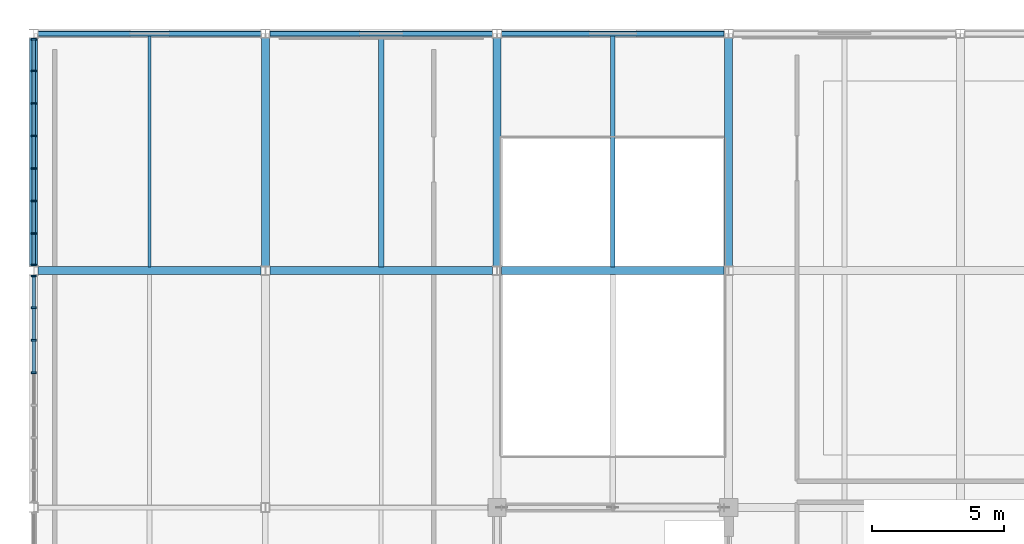
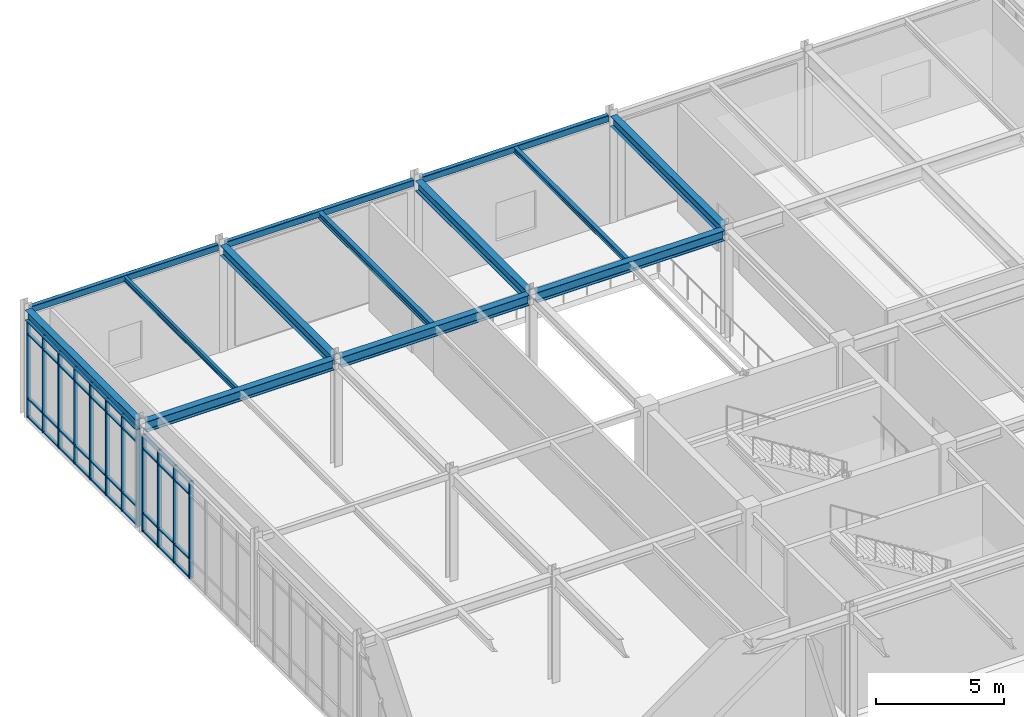
# One storey, part 68 of 184: 52 members, 13 beams, 2 elements without a shape of their own.
"""IFC4 building model written with IfcOpenShell, lengths in metres."""

from ifc_helpers import new_model, si_unit, direction, frame, origin, origin_2d, place, context, subcontext, project, spatial, rectangle, hollow_rectangle, i_section, extrude, material, material_profile, profile_set, type_object, element, aggregate, save


model = new_model("IFC4")

# Units and contexts
model_context = context("Model", 3, precision=1e-05, world=origin(), true_north=direction((0.0, 1.0)))
body_context = subcontext(model_context, "Body", "Model", "MODEL_VIEW")
ifc_project = project(units=[si_unit("LENGTHUNIT", "METRE"), si_unit("AREAUNIT", "SQUARE_METRE"), si_unit("VOLUMEUNIT", "CUBIC_METRE"), si_unit("PLANEANGLEUNIT", "RADIAN"), si_unit("MASSUNIT", "GRAM", prefix="KILO")], contexts=[model_context])

# Site, building, storey
site_placement = place(None, origin())
site = spatial("IfcSite", under=ifc_project, at=site_placement, CompositionType="ELEMENT")
building_placement = place(site_placement, origin())
building = spatial("IfcBuilding", under=site, at=building_placement, Name="Zhaolan Boulevard Law Courts", CompositionType="ELEMENT")
storey_placement = place(building_placement, frame((0.0, 0.0, 5.39990234375)))
storey = spatial("IfcBuildingStorey", under=building, at=storey_placement, Name="L01", CompositionType="ELEMENT", Elevation=5.39990234375)

# Curtain wall, members
ifc_material_1 = material(Name="Thermally broken aluminium and low-E glazing", Category="aluminium")
curtain_wall_type_1 = type_object("IfcCurtainWallType", Name="CURTAIN WALL M13", PredefinedType="USERDEFINED", material=ifc_material_1)
curtain_wall_1_placement = place(storey_placement, origin())
curtain_wall_1 = element("IfcCurtainWall", 1, at=curtain_wall_1_placement, inside=storey, type_object=curtain_wall_type_1, Name="Curtain Wall CW-L01-109", ObjectType="CURTAIN WALL", PredefinedType="USERDEFINED")
ifc_material_2 = material(Name="Fluorocarbon-coated aluminium 6063-T6", Category="aluminium")
ifc_material_profile_1 = material_profile(ifc_material_2, rectangle(XDim=0.179931640625, YDim=0.06494140625, at=origin_2d()), Name="AL65x180")
ifc_profile_set_1 = profile_set([ifc_material_profile_1], Name="Fluorocarbon-coated aluminium 6063-T6")
member_type_1 = type_object("IfcMemberType", Name="CWMULLION 65X180", PredefinedType="MULLION", material=ifc_profile_set_1)
member_1_placement = place(storey_placement, frame((0.0, 102.79052734375, 0.0), z_axis=(0.0, 0.0, 1.0), x_axis=(1.0, 0.0, 0.0)))
member_1 = element("IfcMember", 2, at=member_1_placement, type_object=member_type_1, Name="CW-L01-109 mullion 1", PredefinedType="MULLION", context=body_context, shape_type="SweptSolid", body=[
    extrude(rectangle(XDim=0.179931640625, YDim=0.06494140625, at=origin_2d()), origin(), (0.0, 0.0, 1.0), 4.62109375),
])
member_2_placement = place(storey_placement, frame((0.0, 101.587890625, 0.0), z_axis=(0.0, 0.0, 1.0), x_axis=(1.0, 0.0, 0.0)))
member_2 = element("IfcMember", 3, at=member_2_placement, type_object=member_type_1, Name="CW-L01-109 mullion 2", PredefinedType="MULLION", context=body_context, shape_type="SweptSolid", body=[
    extrude(rectangle(XDim=0.179931640625, YDim=0.06494140625, at=origin_2d()), origin(), (0.0, 0.0, 1.0), 4.62109375),
])
member_3_placement = place(storey_placement, frame((0.0, 100.352783203125, 0.0), z_axis=(0.0, 0.0, 1.0), x_axis=(1.0, 0.0, 0.0)))
member_3 = element("IfcMember", 4, at=member_3_placement, type_object=member_type_1, Name="CW-L01-109 mullion 3", PredefinedType="MULLION", context=body_context, shape_type="SweptSolid", body=[
    extrude(rectangle(XDim=0.179931640625, YDim=0.06494140625, at=origin_2d()), origin(), (0.0, 0.0, 1.0), 4.62109375),
])
member_4_placement = place(storey_placement, frame((0.0, 99.11767578125, 0.0), z_axis=(0.0, 0.0, 1.0), x_axis=(1.0, 0.0, 0.0)))
member_4 = element("IfcMember", 5, at=member_4_placement, type_object=member_type_1, Name="CW-L01-109 mullion 4", PredefinedType="MULLION", context=body_context, shape_type="SweptSolid", body=[
    extrude(rectangle(XDim=0.179931640625, YDim=0.06494140625, at=origin_2d()), origin(), (0.0, 0.0, 1.0), 4.62109375),
])

ifc_material_3 = material(Name="Thermally broken aluminium and low-E glazing", Category="aluminium")
curtain_wall_type_2 = type_object("IfcCurtainWallType", Name="CURTAIN WALL M14", PredefinedType="USERDEFINED", material=ifc_material_3)
curtain_wall_2_placement = place(storey_placement, origin())
curtain_wall_2 = element("IfcCurtainWall", 6, at=curtain_wall_2_placement, inside=storey, type_object=curtain_wall_type_2, Name="Curtain Wall CW-L01-110", ObjectType="CURTAIN WALL", PredefinedType="USERDEFINED")
member_5_placement = place(storey_placement, frame((0.0, 111.79052734375, 0.0), z_axis=(0.0, 0.0, 1.0), x_axis=(1.0, 0.0, 0.0)))
member_5 = element("IfcMember", 7, at=member_5_placement, type_object=member_type_1, Name="CW-L01-110 mullion 1", PredefinedType="MULLION", context=body_context, shape_type="SweptSolid", body=[
    extrude(rectangle(XDim=0.179931640625, YDim=0.06494140625, at=origin_2d()), origin(), (0.0, 0.0, 1.0), 4.62109375),
])
member_6_placement = place(storey_placement, frame((0.0, 110.587890625, 0.0), z_axis=(0.0, 0.0, 1.0), x_axis=(1.0, 0.0, 0.0)))
member_6 = element("IfcMember", 8, at=member_6_placement, type_object=member_type_1, Name="CW-L01-110 mullion 2", PredefinedType="MULLION", context=body_context, shape_type="SweptSolid", body=[
    extrude(rectangle(XDim=0.179931640625, YDim=0.06494140625, at=origin_2d()), origin(), (0.0, 0.0, 1.0), 4.62109375),
])
member_7_placement = place(storey_placement, frame((0.0, 109.352783203125, 0.0), z_axis=(0.0, 0.0, 1.0), x_axis=(1.0, 0.0, 0.0)))
member_7 = element("IfcMember", 9, at=member_7_placement, type_object=member_type_1, Name="CW-L01-110 mullion 3", PredefinedType="MULLION", context=body_context, shape_type="SweptSolid", body=[
    extrude(rectangle(XDim=0.179931640625, YDim=0.06494140625, at=origin_2d()), origin(), (0.0, 0.0, 1.0), 4.62109375),
])
member_8_placement = place(storey_placement, frame((0.0, 108.11767578125, 0.0), z_axis=(0.0, 0.0, 1.0), x_axis=(1.0, 0.0, 0.0)))
member_8 = element("IfcMember", 10, at=member_8_placement, type_object=member_type_1, Name="CW-L01-110 mullion 4", PredefinedType="MULLION", context=body_context, shape_type="SweptSolid", body=[
    extrude(rectangle(XDim=0.179931640625, YDim=0.06494140625, at=origin_2d()), origin(), (0.0, 0.0, 1.0), 4.62109375),
])
member_9_placement = place(storey_placement, frame((0.0, 106.88232421875, 0.0), z_axis=(0.0, 0.0, 1.0), x_axis=(1.0, 0.0, 0.0)))
member_9 = element("IfcMember", 11, at=member_9_placement, type_object=member_type_1, Name="CW-L01-110 mullion 5", PredefinedType="MULLION", context=body_context, shape_type="SweptSolid", body=[
    extrude(rectangle(XDim=0.179931640625, YDim=0.06494140625, at=origin_2d()), origin(), (0.0, 0.0, 1.0), 4.62109375),
])
member_10_placement = place(storey_placement, frame((0.0, 105.647216796875, 0.0), z_axis=(0.0, 0.0, 1.0), x_axis=(1.0, 0.0, 0.0)))
member_10 = element("IfcMember", 12, at=member_10_placement, type_object=member_type_1, Name="CW-L01-110 mullion 6", PredefinedType="MULLION", context=body_context, shape_type="SweptSolid", body=[
    extrude(rectangle(XDim=0.179931640625, YDim=0.06494140625, at=origin_2d()), origin(), (0.0, 0.0, 1.0), 4.62109375),
])
member_11_placement = place(storey_placement, frame((0.0, 104.412109375, 0.0), z_axis=(0.0, 0.0, 1.0), x_axis=(1.0, 0.0, 0.0)))
member_11 = element("IfcMember", 13, at=member_11_placement, type_object=member_type_1, Name="CW-L01-110 mullion 7", PredefinedType="MULLION", context=body_context, shape_type="SweptSolid", body=[
    extrude(rectangle(XDim=0.179931640625, YDim=0.06494140625, at=origin_2d()), origin(), (0.0, 0.0, 1.0), 4.62109375),
])
member_12_placement = place(storey_placement, frame((0.0, 103.20947265625, 0.0), z_axis=(0.0, 0.0, 1.0), x_axis=(1.0, 0.0, 0.0)))
member_12 = element("IfcMember", 14, at=member_12_placement, type_object=member_type_1, Name="CW-L01-110 mullion 8", PredefinedType="MULLION", context=body_context, shape_type="SweptSolid", body=[
    extrude(rectangle(XDim=0.179931640625, YDim=0.06494140625, at=origin_2d()), origin(), (0.0, 0.0, 1.0), 4.62109375),
])

# Member
ifc_material_4 = material(Name="Fluorocarbon-coated aluminium 6063-T6", Category="aluminium")
ifc_material_profile_2 = material_profile(ifc_material_4, rectangle(XDim=0.139892578125, YDim=0.06494140625, at=origin_2d()), Name="AL65x140")
ifc_profile_set_2 = profile_set([ifc_material_profile_2], Name="Fluorocarbon-coated aluminium 6063-T6")
member_type_2 = type_object("IfcMemberType", Name="CWTRANSOM 65X140", PredefinedType="USERDEFINED", material=ifc_profile_set_2)
member_13_placement = place(storey_placement, frame((0.0, 102.758056640625, 0.03271484375), z_axis=(0.0, -1.0, 0.0), x_axis=(1.0, 0.0, 0.0)))
member_13 = element("IfcMember", 15, at=member_13_placement, type_object=member_type_2, Name="CW-L01-109 transom 1.1", ObjectType="TRANSOM", PredefinedType="USERDEFINED", context=body_context, shape_type="SweptSolid", body=[
    extrude(rectangle(XDim=0.139892578125, YDim=0.06494140625, at=origin_2d()), origin(), (0.0, 0.0, 1.0), 1.1376953125),
])

member_14_placement = place(storey_placement, frame((0.0, 102.758056640625, 0.900146484375), z_axis=(0.0, -1.0, 0.0), x_axis=(1.0, 0.0, 0.0)))
member_14 = element("IfcMember", 16, at=member_14_placement, type_object=member_type_2, Name="CW-L01-109 transom 1.2", ObjectType="TRANSOM", PredefinedType="USERDEFINED", context=body_context, shape_type="SweptSolid", body=[
    extrude(rectangle(XDim=0.139892578125, YDim=0.06494140625, at=origin_2d()), origin(), (0.0, 0.0, 1.0), 1.1376953125),
])

member_15_placement = place(storey_placement, frame((0.0, 102.758056640625, 3.97119140625), z_axis=(0.0, -1.0, 0.0), x_axis=(1.0, 0.0, 0.0)))
member_15 = element("IfcMember", 17, at=member_15_placement, type_object=member_type_2, Name="CW-L01-109 transom 1.3", ObjectType="TRANSOM", PredefinedType="USERDEFINED", context=body_context, shape_type="SweptSolid", body=[
    extrude(rectangle(XDim=0.139892578125, YDim=0.06494140625, at=origin_2d()), origin(), (0.0, 0.0, 1.0), 1.1376953125),
])

member_16_placement = place(storey_placement, frame((0.0, 102.758056640625, 4.588623046875), z_axis=(0.0, -1.0, 0.0), x_axis=(1.0, 0.0, 0.0)))
member_16 = element("IfcMember", 18, at=member_16_placement, type_object=member_type_2, Name="CW-L01-109 transom 1.4", ObjectType="TRANSOM", PredefinedType="USERDEFINED", context=body_context, shape_type="SweptSolid", body=[
    extrude(rectangle(XDim=0.139892578125, YDim=0.06494140625, at=origin_2d()), origin(), (0.0, 0.0, 1.0), 1.1376953125),
])

member_17_placement = place(storey_placement, frame((0.0, 101.555419921875, 0.03271484375), z_axis=(0.0, -1.0, 0.0), x_axis=(1.0, 0.0, 0.0)))
member_17 = element("IfcMember", 19, at=member_17_placement, type_object=member_type_2, Name="CW-L01-109 transom 2.1", ObjectType="TRANSOM", PredefinedType="USERDEFINED", context=body_context, shape_type="SweptSolid", body=[
    extrude(rectangle(XDim=0.139892578125, YDim=0.06494140625, at=origin_2d()), origin(), (0.0, 0.0, 1.0), 1.170166015625),
])

member_18_placement = place(storey_placement, frame((0.0, 101.555419921875, 0.900146484375), z_axis=(0.0, -1.0, 0.0), x_axis=(1.0, 0.0, 0.0)))
member_18 = element("IfcMember", 20, at=member_18_placement, type_object=member_type_2, Name="CW-L01-109 transom 2.2", ObjectType="TRANSOM", PredefinedType="USERDEFINED", context=body_context, shape_type="SweptSolid", body=[
    extrude(rectangle(XDim=0.139892578125, YDim=0.06494140625, at=origin_2d()), origin(), (0.0, 0.0, 1.0), 1.170166015625),
])

member_19_placement = place(storey_placement, frame((0.0, 101.555419921875, 3.97119140625), z_axis=(0.0, -1.0, 0.0), x_axis=(1.0, 0.0, 0.0)))
member_19 = element("IfcMember", 21, at=member_19_placement, type_object=member_type_2, Name="CW-L01-109 transom 2.3", ObjectType="TRANSOM", PredefinedType="USERDEFINED", context=body_context, shape_type="SweptSolid", body=[
    extrude(rectangle(XDim=0.139892578125, YDim=0.06494140625, at=origin_2d()), origin(), (0.0, 0.0, 1.0), 1.170166015625),
])

member_20_placement = place(storey_placement, frame((0.0, 101.555419921875, 4.588623046875), z_axis=(0.0, -1.0, 0.0), x_axis=(1.0, 0.0, 0.0)))
member_20 = element("IfcMember", 22, at=member_20_placement, type_object=member_type_2, Name="CW-L01-109 transom 2.4", ObjectType="TRANSOM", PredefinedType="USERDEFINED", context=body_context, shape_type="SweptSolid", body=[
    extrude(rectangle(XDim=0.139892578125, YDim=0.06494140625, at=origin_2d()), origin(), (0.0, 0.0, 1.0), 1.170166015625),
])

member_21_placement = place(storey_placement, frame((0.0, 100.3203125, 0.03271484375), z_axis=(0.0, -1.0, 0.0), x_axis=(1.0, 0.0, 0.0)))
member_21 = element("IfcMember", 23, at=member_21_placement, type_object=member_type_2, Name="CW-L01-109 transom 3.1", ObjectType="TRANSOM", PredefinedType="USERDEFINED", context=body_context, shape_type="SweptSolid", body=[
    extrude(rectangle(XDim=0.139892578125, YDim=0.06494140625, at=origin_2d()), origin(), (0.0, 0.0, 1.0), 1.170166015625),
])

member_22_placement = place(storey_placement, frame((0.0, 100.3203125, 0.900146484375), z_axis=(0.0, -1.0, 0.0), x_axis=(1.0, 0.0, 0.0)))
member_22 = element("IfcMember", 24, at=member_22_placement, type_object=member_type_2, Name="CW-L01-109 transom 3.2", ObjectType="TRANSOM", PredefinedType="USERDEFINED", context=body_context, shape_type="SweptSolid", body=[
    extrude(rectangle(XDim=0.139892578125, YDim=0.06494140625, at=origin_2d()), origin(), (0.0, 0.0, 1.0), 1.170166015625),
])

member_23_placement = place(storey_placement, frame((0.0, 100.3203125, 3.97119140625), z_axis=(0.0, -1.0, 0.0), x_axis=(1.0, 0.0, 0.0)))
member_23 = element("IfcMember", 25, at=member_23_placement, type_object=member_type_2, Name="CW-L01-109 transom 3.3", ObjectType="TRANSOM", PredefinedType="USERDEFINED", context=body_context, shape_type="SweptSolid", body=[
    extrude(rectangle(XDim=0.139892578125, YDim=0.06494140625, at=origin_2d()), origin(), (0.0, 0.0, 1.0), 1.170166015625),
])

member_24_placement = place(storey_placement, frame((0.0, 100.3203125, 4.588623046875), z_axis=(0.0, -1.0, 0.0), x_axis=(1.0, 0.0, 0.0)))
member_24 = element("IfcMember", 26, at=member_24_placement, type_object=member_type_2, Name="CW-L01-109 transom 3.4", ObjectType="TRANSOM", PredefinedType="USERDEFINED", context=body_context, shape_type="SweptSolid", body=[
    extrude(rectangle(XDim=0.139892578125, YDim=0.06494140625, at=origin_2d()), origin(), (0.0, 0.0, 1.0), 1.170166015625),
])

aggregate(curtain_wall_1, [member_1, member_2, member_3, member_4, member_13, member_14, member_15, member_16, member_17, member_18, member_19, member_20, member_21, member_22, member_23, member_24])

member_25_placement = place(storey_placement, frame((0.0, 111.758056640625, 0.03271484375), z_axis=(0.0, -1.0, 0.0), x_axis=(1.0, 0.0, 0.0)))
member_25 = element("IfcMember", 27, at=member_25_placement, type_object=member_type_2, Name="CW-L01-110 transom 1.1", ObjectType="TRANSOM", PredefinedType="USERDEFINED", context=body_context, shape_type="SweptSolid", body=[
    extrude(rectangle(XDim=0.139892578125, YDim=0.06494140625, at=origin_2d()), origin(), (0.0, 0.0, 1.0), 1.1376953125),
])

member_26_placement = place(storey_placement, frame((0.0, 111.758056640625, 0.900146484375), z_axis=(0.0, -1.0, 0.0), x_axis=(1.0, 0.0, 0.0)))
member_26 = element("IfcMember", 28, at=member_26_placement, type_object=member_type_2, Name="CW-L01-110 transom 1.2", ObjectType="TRANSOM", PredefinedType="USERDEFINED", context=body_context, shape_type="SweptSolid", body=[
    extrude(rectangle(XDim=0.139892578125, YDim=0.06494140625, at=origin_2d()), origin(), (0.0, 0.0, 1.0), 1.1376953125),
])

member_27_placement = place(storey_placement, frame((0.0, 111.758056640625, 3.97119140625), z_axis=(0.0, -1.0, 0.0), x_axis=(1.0, 0.0, 0.0)))
member_27 = element("IfcMember", 29, at=member_27_placement, type_object=member_type_2, Name="CW-L01-110 transom 1.3", ObjectType="TRANSOM", PredefinedType="USERDEFINED", context=body_context, shape_type="SweptSolid", body=[
    extrude(rectangle(XDim=0.139892578125, YDim=0.06494140625, at=origin_2d()), origin(), (0.0, 0.0, 1.0), 1.1376953125),
])

member_28_placement = place(storey_placement, frame((0.0, 111.758056640625, 4.588623046875), z_axis=(0.0, -1.0, 0.0), x_axis=(1.0, 0.0, 0.0)))
member_28 = element("IfcMember", 30, at=member_28_placement, type_object=member_type_2, Name="CW-L01-110 transom 1.4", ObjectType="TRANSOM", PredefinedType="USERDEFINED", context=body_context, shape_type="SweptSolid", body=[
    extrude(rectangle(XDim=0.139892578125, YDim=0.06494140625, at=origin_2d()), origin(), (0.0, 0.0, 1.0), 1.1376953125),
])

member_29_placement = place(storey_placement, frame((0.0, 110.555419921875, 0.03271484375), z_axis=(0.0, -1.0, 0.0), x_axis=(1.0, 0.0, 0.0)))
member_29 = element("IfcMember", 31, at=member_29_placement, type_object=member_type_2, Name="CW-L01-110 transom 2.1", ObjectType="TRANSOM", PredefinedType="USERDEFINED", context=body_context, shape_type="SweptSolid", body=[
    extrude(rectangle(XDim=0.139892578125, YDim=0.06494140625, at=origin_2d()), origin(), (0.0, 0.0, 1.0), 1.170166015625),
])

member_30_placement = place(storey_placement, frame((0.0, 110.555419921875, 0.900146484375), z_axis=(0.0, -1.0, 0.0), x_axis=(1.0, 0.0, 0.0)))
member_30 = element("IfcMember", 32, at=member_30_placement, type_object=member_type_2, Name="CW-L01-110 transom 2.2", ObjectType="TRANSOM", PredefinedType="USERDEFINED", context=body_context, shape_type="SweptSolid", body=[
    extrude(rectangle(XDim=0.139892578125, YDim=0.06494140625, at=origin_2d()), origin(), (0.0, 0.0, 1.0), 1.170166015625),
])

member_31_placement = place(storey_placement, frame((0.0, 110.555419921875, 3.97119140625), z_axis=(0.0, -1.0, 0.0), x_axis=(1.0, 0.0, 0.0)))
member_31 = element("IfcMember", 33, at=member_31_placement, type_object=member_type_2, Name="CW-L01-110 transom 2.3", ObjectType="TRANSOM", PredefinedType="USERDEFINED", context=body_context, shape_type="SweptSolid", body=[
    extrude(rectangle(XDim=0.139892578125, YDim=0.06494140625, at=origin_2d()), origin(), (0.0, 0.0, 1.0), 1.170166015625),
])

member_32_placement = place(storey_placement, frame((0.0, 110.555419921875, 4.588623046875), z_axis=(0.0, -1.0, 0.0), x_axis=(1.0, 0.0, 0.0)))
member_32 = element("IfcMember", 34, at=member_32_placement, type_object=member_type_2, Name="CW-L01-110 transom 2.4", ObjectType="TRANSOM", PredefinedType="USERDEFINED", context=body_context, shape_type="SweptSolid", body=[
    extrude(rectangle(XDim=0.139892578125, YDim=0.06494140625, at=origin_2d()), origin(), (0.0, 0.0, 1.0), 1.170166015625),
])

member_33_placement = place(storey_placement, frame((0.0, 109.3203125, 0.03271484375), z_axis=(0.0, -1.0, 0.0), x_axis=(1.0, 0.0, 0.0)))
member_33 = element("IfcMember", 35, at=member_33_placement, type_object=member_type_2, Name="CW-L01-110 transom 3.1", ObjectType="TRANSOM", PredefinedType="USERDEFINED", context=body_context, shape_type="SweptSolid", body=[
    extrude(rectangle(XDim=0.139892578125, YDim=0.06494140625, at=origin_2d()), origin(), (0.0, 0.0, 1.0), 1.170166015625),
])

member_34_placement = place(storey_placement, frame((0.0, 109.3203125, 0.900146484375), z_axis=(0.0, -1.0, 0.0), x_axis=(1.0, 0.0, 0.0)))
member_34 = element("IfcMember", 36, at=member_34_placement, type_object=member_type_2, Name="CW-L01-110 transom 3.2", ObjectType="TRANSOM", PredefinedType="USERDEFINED", context=body_context, shape_type="SweptSolid", body=[
    extrude(rectangle(XDim=0.139892578125, YDim=0.06494140625, at=origin_2d()), origin(), (0.0, 0.0, 1.0), 1.170166015625),
])

member_35_placement = place(storey_placement, frame((0.0, 109.3203125, 3.97119140625), z_axis=(0.0, -1.0, 0.0), x_axis=(1.0, 0.0, 0.0)))
member_35 = element("IfcMember", 37, at=member_35_placement, type_object=member_type_2, Name="CW-L01-110 transom 3.3", ObjectType="TRANSOM", PredefinedType="USERDEFINED", context=body_context, shape_type="SweptSolid", body=[
    extrude(rectangle(XDim=0.139892578125, YDim=0.06494140625, at=origin_2d()), origin(), (0.0, 0.0, 1.0), 1.170166015625),
])

member_36_placement = place(storey_placement, frame((0.0, 109.3203125, 4.588623046875), z_axis=(0.0, -1.0, 0.0), x_axis=(1.0, 0.0, 0.0)))
member_36 = element("IfcMember", 38, at=member_36_placement, type_object=member_type_2, Name="CW-L01-110 transom 3.4", ObjectType="TRANSOM", PredefinedType="USERDEFINED", context=body_context, shape_type="SweptSolid", body=[
    extrude(rectangle(XDim=0.139892578125, YDim=0.06494140625, at=origin_2d()), origin(), (0.0, 0.0, 1.0), 1.170166015625),
])

member_37_placement = place(storey_placement, frame((0.0, 108.0849609375, 0.03271484375), z_axis=(0.0, -1.0, 0.0), x_axis=(1.0, 0.0, 0.0)))
member_37 = element("IfcMember", 39, at=member_37_placement, type_object=member_type_2, Name="CW-L01-110 transom 4.1", ObjectType="TRANSOM", PredefinedType="USERDEFINED", context=body_context, shape_type="SweptSolid", body=[
    extrude(rectangle(XDim=0.139892578125, YDim=0.06494140625, at=origin_2d()), origin(), (0.0, 0.0, 1.0), 1.169921875),
])

member_38_placement = place(storey_placement, frame((0.0, 108.0849609375, 0.900146484375), z_axis=(0.0, -1.0, 0.0), x_axis=(1.0, 0.0, 0.0)))
member_38 = element("IfcMember", 40, at=member_38_placement, type_object=member_type_2, Name="CW-L01-110 transom 4.2", ObjectType="TRANSOM", PredefinedType="USERDEFINED", context=body_context, shape_type="SweptSolid", body=[
    extrude(rectangle(XDim=0.139892578125, YDim=0.06494140625, at=origin_2d()), origin(), (0.0, 0.0, 1.0), 1.169921875),
])

member_39_placement = place(storey_placement, frame((0.0, 108.0849609375, 3.97119140625), z_axis=(0.0, -1.0, 0.0), x_axis=(1.0, 0.0, 0.0)))
member_39 = element("IfcMember", 41, at=member_39_placement, type_object=member_type_2, Name="CW-L01-110 transom 4.3", ObjectType="TRANSOM", PredefinedType="USERDEFINED", context=body_context, shape_type="SweptSolid", body=[
    extrude(rectangle(XDim=0.139892578125, YDim=0.06494140625, at=origin_2d()), origin(), (0.0, 0.0, 1.0), 1.169921875),
])

member_40_placement = place(storey_placement, frame((0.0, 108.0849609375, 4.588623046875), z_axis=(0.0, -1.0, 0.0), x_axis=(1.0, 0.0, 0.0)))
member_40 = element("IfcMember", 42, at=member_40_placement, type_object=member_type_2, Name="CW-L01-110 transom 4.4", ObjectType="TRANSOM", PredefinedType="USERDEFINED", context=body_context, shape_type="SweptSolid", body=[
    extrude(rectangle(XDim=0.139892578125, YDim=0.06494140625, at=origin_2d()), origin(), (0.0, 0.0, 1.0), 1.169921875),
])

member_41_placement = place(storey_placement, frame((0.0, 106.849853515625, 0.03271484375), z_axis=(0.0, -1.0, 0.0), x_axis=(1.0, 0.0, 0.0)))
member_41 = element("IfcMember", 43, at=member_41_placement, type_object=member_type_2, Name="CW-L01-110 transom 5.1", ObjectType="TRANSOM", PredefinedType="USERDEFINED", context=body_context, shape_type="SweptSolid", body=[
    extrude(rectangle(XDim=0.139892578125, YDim=0.06494140625, at=origin_2d()), origin(), (0.0, 0.0, 1.0), 1.170166015625),
])

member_42_placement = place(storey_placement, frame((0.0, 106.849853515625, 0.900146484375), z_axis=(0.0, -1.0, 0.0), x_axis=(1.0, 0.0, 0.0)))
member_42 = element("IfcMember", 44, at=member_42_placement, type_object=member_type_2, Name="CW-L01-110 transom 5.2", ObjectType="TRANSOM", PredefinedType="USERDEFINED", context=body_context, shape_type="SweptSolid", body=[
    extrude(rectangle(XDim=0.139892578125, YDim=0.06494140625, at=origin_2d()), origin(), (0.0, 0.0, 1.0), 1.170166015625),
])

member_43_placement = place(storey_placement, frame((0.0, 106.849853515625, 3.97119140625), z_axis=(0.0, -1.0, 0.0), x_axis=(1.0, 0.0, 0.0)))
member_43 = element("IfcMember", 45, at=member_43_placement, type_object=member_type_2, Name="CW-L01-110 transom 5.3", ObjectType="TRANSOM", PredefinedType="USERDEFINED", context=body_context, shape_type="SweptSolid", body=[
    extrude(rectangle(XDim=0.139892578125, YDim=0.06494140625, at=origin_2d()), origin(), (0.0, 0.0, 1.0), 1.170166015625),
])

member_44_placement = place(storey_placement, frame((0.0, 106.849853515625, 4.588623046875), z_axis=(0.0, -1.0, 0.0), x_axis=(1.0, 0.0, 0.0)))
member_44 = element("IfcMember", 46, at=member_44_placement, type_object=member_type_2, Name="CW-L01-110 transom 5.4", ObjectType="TRANSOM", PredefinedType="USERDEFINED", context=body_context, shape_type="SweptSolid", body=[
    extrude(rectangle(XDim=0.139892578125, YDim=0.06494140625, at=origin_2d()), origin(), (0.0, 0.0, 1.0), 1.170166015625),
])

member_45_placement = place(storey_placement, frame((0.0, 105.61474609375, 0.03271484375), z_axis=(0.0, -1.0, 0.0), x_axis=(1.0, 0.0, 0.0)))
member_45 = element("IfcMember", 47, at=member_45_placement, type_object=member_type_2, Name="CW-L01-110 transom 6.1", ObjectType="TRANSOM", PredefinedType="USERDEFINED", context=body_context, shape_type="SweptSolid", body=[
    extrude(rectangle(XDim=0.139892578125, YDim=0.06494140625, at=origin_2d()), origin(), (0.0, 0.0, 1.0), 1.170166015625),
])

member_46_placement = place(storey_placement, frame((0.0, 105.61474609375, 0.900146484375), z_axis=(0.0, -1.0, 0.0), x_axis=(1.0, 0.0, 0.0)))
member_46 = element("IfcMember", 48, at=member_46_placement, type_object=member_type_2, Name="CW-L01-110 transom 6.2", ObjectType="TRANSOM", PredefinedType="USERDEFINED", context=body_context, shape_type="SweptSolid", body=[
    extrude(rectangle(XDim=0.139892578125, YDim=0.06494140625, at=origin_2d()), origin(), (0.0, 0.0, 1.0), 1.170166015625),
])

member_47_placement = place(storey_placement, frame((0.0, 105.61474609375, 3.97119140625), z_axis=(0.0, -1.0, 0.0), x_axis=(1.0, 0.0, 0.0)))
member_47 = element("IfcMember", 49, at=member_47_placement, type_object=member_type_2, Name="CW-L01-110 transom 6.3", ObjectType="TRANSOM", PredefinedType="USERDEFINED", context=body_context, shape_type="SweptSolid", body=[
    extrude(rectangle(XDim=0.139892578125, YDim=0.06494140625, at=origin_2d()), origin(), (0.0, 0.0, 1.0), 1.170166015625),
])

member_48_placement = place(storey_placement, frame((0.0, 105.61474609375, 4.588623046875), z_axis=(0.0, -1.0, 0.0), x_axis=(1.0, 0.0, 0.0)))
member_48 = element("IfcMember", 50, at=member_48_placement, type_object=member_type_2, Name="CW-L01-110 transom 6.4", ObjectType="TRANSOM", PredefinedType="USERDEFINED", context=body_context, shape_type="SweptSolid", body=[
    extrude(rectangle(XDim=0.139892578125, YDim=0.06494140625, at=origin_2d()), origin(), (0.0, 0.0, 1.0), 1.170166015625),
])

member_49_placement = place(storey_placement, frame((0.0, 104.379638671875, 0.03271484375), z_axis=(0.0, -1.0, 0.0), x_axis=(1.0, 0.0, 0.0)))
member_49 = element("IfcMember", 51, at=member_49_placement, type_object=member_type_2, Name="CW-L01-110 transom 7.1", ObjectType="TRANSOM", PredefinedType="USERDEFINED", context=body_context, shape_type="SweptSolid", body=[
    extrude(rectangle(XDim=0.139892578125, YDim=0.06494140625, at=origin_2d()), origin(), (0.0, 0.0, 1.0), 1.1376953125),
])

member_50_placement = place(storey_placement, frame((0.0, 104.379638671875, 0.900146484375), z_axis=(0.0, -1.0, 0.0), x_axis=(1.0, 0.0, 0.0)))
member_50 = element("IfcMember", 52, at=member_50_placement, type_object=member_type_2, Name="CW-L01-110 transom 7.2", ObjectType="TRANSOM", PredefinedType="USERDEFINED", context=body_context, shape_type="SweptSolid", body=[
    extrude(rectangle(XDim=0.139892578125, YDim=0.06494140625, at=origin_2d()), origin(), (0.0, 0.0, 1.0), 1.1376953125),
])

member_51_placement = place(storey_placement, frame((0.0, 104.379638671875, 3.97119140625), z_axis=(0.0, -1.0, 0.0), x_axis=(1.0, 0.0, 0.0)))
member_51 = element("IfcMember", 53, at=member_51_placement, type_object=member_type_2, Name="CW-L01-110 transom 7.3", ObjectType="TRANSOM", PredefinedType="USERDEFINED", context=body_context, shape_type="SweptSolid", body=[
    extrude(rectangle(XDim=0.139892578125, YDim=0.06494140625, at=origin_2d()), origin(), (0.0, 0.0, 1.0), 1.1376953125),
])

member_52_placement = place(storey_placement, frame((0.0, 104.379638671875, 4.588623046875), z_axis=(0.0, -1.0, 0.0), x_axis=(1.0, 0.0, 0.0)))
member_52 = element("IfcMember", 54, at=member_52_placement, type_object=member_type_2, Name="CW-L01-110 transom 7.4", ObjectType="TRANSOM", PredefinedType="USERDEFINED", context=body_context, shape_type="SweptSolid", body=[
    extrude(rectangle(XDim=0.139892578125, YDim=0.06494140625, at=origin_2d()), origin(), (0.0, 0.0, 1.0), 1.1376953125),
])

aggregate(curtain_wall_2, [member_5, member_6, member_7, member_8, member_9, member_10, member_11, member_12, member_25, member_26, member_27, member_28, member_29, member_30, member_31, member_32, member_33, member_34, member_35, member_36, member_37, member_38, member_39, member_40, member_41, member_42, member_43, member_44, member_45, member_46, member_47, member_48, member_49, member_50, member_51, member_52])

# Beams
ifc_material_5 = material(Name="Structural steel Q355B", Category="steel")
ifc_material_profile_3 = material_profile(ifc_material_5, i_section(OverallWidth=0.300048828125, OverallDepth=0.48193359375, WebThickness=0.010986328125, FlangeThickness=0.014892578125, FilletRadius=0.02197265625, at=origin_2d()), Name="HM482x300")
ifc_profile_set_3 = profile_set([ifc_material_profile_3], Name="Structural steel Q355B")
beam_type_1 = type_object("IfcBeamType", Name="GIRDER HM488", PredefinedType="BEAM", material=ifc_profile_set_3)
for number, where, z_axis, x_axis, name in (
    (55, (0.0, 103.1708984375, 4.877197265625), (0.0, 1.0, 0.0), (-1.0, 0.0, 0.0), "Beam BY-L02-1-P-Q"),
    (56, (8.800048828125, 103.1708984375, 4.877197265625), (0.0, 1.0, 0.0), (-1.0, 0.0, 0.0), "Beam BY-L02-2-P-Q"),
    (57, (17.60009765625, 103.1708984375, 4.877197265625), (0.0, 1.0, 0.0), (-1.0, 0.0, 0.0), "Beam BY-L02-3-P-Q"),
    (58, (26.39990234375, 103.1708984375, 4.877197265625), (0.0, 1.0, 0.0), (-1.0, 0.0, 0.0), "Beam BY-L02-4-P-Q"),
):
    element("IfcBeam", number, at=place(storey_placement, frame(where, z_axis=z_axis, x_axis=x_axis)), inside=storey, type_object=beam_type_1, Name=name, PredefinedType="BEAM", context=body_context, shape_type="SweptSolid", body=[
        extrude(i_section(OverallWidth=0.300048828125, OverallDepth=0.48193359375, WebThickness=0.010986328125, FlangeThickness=0.014892578125, FilletRadius=0.02197265625, at=origin_2d()), origin(), (0.0, 0.0, 1.0), 8.658203125),
    ])
ifc_material_6 = material(Name="Structural steel Q355B", Category="steel")
ifc_material_profile_4 = material_profile(ifc_material_6, i_section(OverallWidth=0.300048828125, OverallDepth=0.488037109375, WebThickness=0.010986328125, FlangeThickness=0.01806640625, FilletRadius=0.02197265625, at=origin_2d()), Name="HM488x300")
ifc_profile_set_4 = profile_set([ifc_material_profile_4], Name="Structural steel Q355B")
beam_type_2 = type_object("IfcBeamType", Name="GIRDER HM500", PredefinedType="BEAM", material=ifc_profile_set_4)
for number, where, z_axis, x_axis, name in (
    (59, (0.1708984375, 103.0, 4.8740234375), (1.0, 0.0, 0.0), (0.0, 1.0, 0.0), "Beam BX-L02-1-2-P"),
    (60, (8.970947265625, 103.0, 4.8740234375), (1.0, 0.0, 0.0), (0.0, 1.0, 0.0), "Beam BX-L02-2-3-P"),
    (61, (17.77099609375, 103.0, 4.8740234375), (1.0, 0.0, 0.0), (0.0, 1.0, 0.0), "Beam BX-L02-3-4-P"),
):
    element("IfcBeam", number, at=place(storey_placement, frame(where, z_axis=z_axis, x_axis=x_axis)), inside=storey, type_object=beam_type_2, Name=name, PredefinedType="BEAM", context=body_context, shape_type="SweptSolid", body=[
        extrude(i_section(OverallWidth=0.300048828125, OverallDepth=0.488037109375, WebThickness=0.010986328125, FlangeThickness=0.01806640625, FilletRadius=0.02197265625, at=origin_2d()), origin(), (0.0, 0.0, 1.0), 8.4580078125),
    ])
ifc_material_7 = material(Name="Structural steel Q355B", Category="steel")
ifc_material_profile_5 = material_profile(ifc_material_7, i_section(OverallWidth=0.175048828125, OverallDepth=0.243896484375, WebThickness=0.007080078125, FlangeThickness=0.010986328125, FilletRadius=0.012939453125, at=origin_2d()), Name="HM244x175")
ifc_profile_set_5 = profile_set([ifc_material_profile_5], Name="Structural steel Q355B")
beam_type_3 = type_object("IfcBeamType", Name="JOIST HM244", PredefinedType="JOIST", material=ifc_profile_set_5)
beam_1_placement = place(storey_placement, frame((22.0, 103.14599609375, 4.99609375), z_axis=(0.0, 1.0, 0.0), x_axis=(-1.0, 0.0, 0.0)))
element("IfcBeam", 62, at=beam_1_placement, inside=storey, type_object=beam_type_3, Name="Composite Joist J-L02-3P", PredefinedType="JOIST", context=body_context, shape_type="SweptSolid", body=[
    extrude(i_section(OverallWidth=0.175048828125, OverallDepth=0.243896484375, WebThickness=0.007080078125, FlangeThickness=0.010986328125, FilletRadius=0.012939453125, at=origin_2d()), origin(), (0.0, 0.0, 1.0), 8.758056640625),
])
ifc_material_8 = material(Name="Structural steel Q355B", Category="steel")
ifc_material_profile_6 = material_profile(ifc_material_8, i_section(OverallWidth=0.199951171875, OverallDepth=0.2939453125, WebThickness=0.008056640625, FlangeThickness=0.011962890625, FilletRadius=0.01611328125, at=origin_2d()), Name="HM294x200")
ifc_profile_set_6 = profile_set([ifc_material_profile_6], Name="Structural steel Q355B")
beam_type_4 = type_object("IfcBeamType", Name="JOIST HM294", PredefinedType="JOIST", material=ifc_profile_set_6)
beam_2_placement = place(storey_placement, frame((13.199951171875, 103.14599609375, 4.97119140625), z_axis=(0.0, 1.0, 0.0), x_axis=(-1.0, 0.0, 0.0)))
element("IfcBeam", 63, at=beam_2_placement, inside=storey, type_object=beam_type_4, Name="Composite Joist J-L02-2P", PredefinedType="JOIST", context=body_context, shape_type="SweptSolid", body=[
    extrude(i_section(OverallWidth=0.199951171875, OverallDepth=0.2939453125, WebThickness=0.008056640625, FlangeThickness=0.011962890625, FilletRadius=0.01611328125, at=origin_2d()), origin(), (0.0, 0.0, 1.0), 8.758056640625),
])
ifc_material_9 = material(Name="Structural steel Q355B", Category="steel")
ifc_material_profile_7 = material_profile(ifc_material_9, i_section(OverallWidth=0.125, OverallDepth=0.25, WebThickness=0.006103515625, FlangeThickness=0.009033203125, FilletRadius=0.010009765625, at=origin_2d()), Name="HN250x125")
ifc_profile_set_7 = profile_set([ifc_material_profile_7], Name="Structural steel Q355B")
beam_type_5 = type_object("IfcBeamType", Name="JOIST HN250", PredefinedType="JOIST", material=ifc_profile_set_7)
beam_3_placement = place(storey_placement, frame((4.39990234375, 103.14599609375, 4.9931640625), z_axis=(0.0, 1.0, 0.0), x_axis=(-1.0, 0.0, 0.0)))
element("IfcBeam", 64, at=beam_3_placement, inside=storey, type_object=beam_type_5, Name="Composite Joist J-L02-1P", PredefinedType="JOIST", context=body_context, shape_type="SweptSolid", body=[
    extrude(i_section(OverallWidth=0.125, OverallDepth=0.25, WebThickness=0.006103515625, FlangeThickness=0.009033203125, FilletRadius=0.010009765625, at=origin_2d()), origin(), (0.0, 0.0, 1.0), 8.758056640625),
])
ifc_material_10 = material(Name="Structural steel Q355B", Category="steel")
ifc_material_profile_8 = material_profile(ifc_material_10, hollow_rectangle(XDim=0.199951171875, YDim=0.300048828125, WallThickness=0.011962890625, InnerFilletRadius=0.011962890625, OuterFilletRadius=0.02392578125, at=origin_2d()), Name="HSS300x200x12")
ifc_profile_set_8 = profile_set([ifc_material_profile_8], Name="Structural steel Q355B")
beam_type_6 = type_object("IfcBeamType", Name="SPANDREL HSS300", PredefinedType="SPANDREL", material=ifc_profile_set_8)
for number, where, z_axis, x_axis, name in (
    (65, (0.1708984375, 112.0, 4.968017578125), (1.0, 0.0, 0.0), (0.0, 1.0, 0.0), "Beam BX-L02-1-2-Q"),
    (66, (8.970947265625, 112.0, 4.968017578125), (1.0, 0.0, 0.0), (0.0, 1.0, 0.0), "Beam BX-L02-2-3-Q"),
    (67, (17.77099609375, 112.0, 4.968017578125), (1.0, 0.0, 0.0), (0.0, 1.0, 0.0), "Beam BX-L02-3-4-Q"),
):
    element("IfcBeam", number, at=place(storey_placement, frame(where, z_axis=z_axis, x_axis=x_axis)), inside=storey, type_object=beam_type_6, Name=name, PredefinedType="SPANDREL", context=body_context, shape_type="SweptSolid", body=[
        extrude(hollow_rectangle(XDim=0.199951171875, YDim=0.300048828125, WallThickness=0.011962890625, InnerFilletRadius=0.011962890625, OuterFilletRadius=0.02392578125, at=origin_2d()), origin(), (0.0, 0.0, 1.0), 8.4580078125),
    ])

save(model, "model.ifc")
